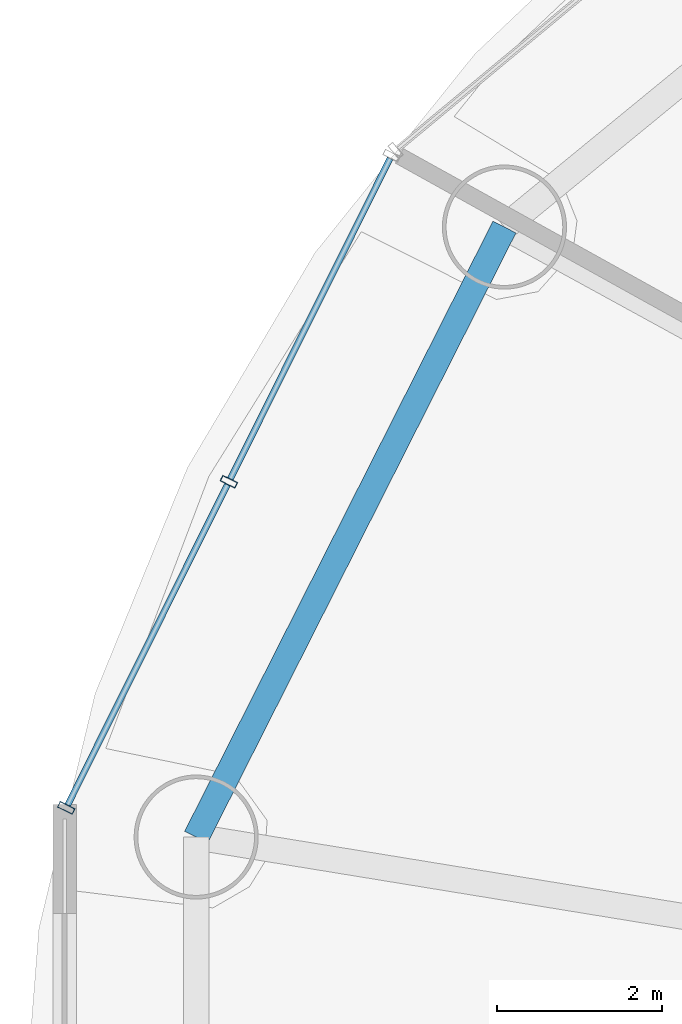
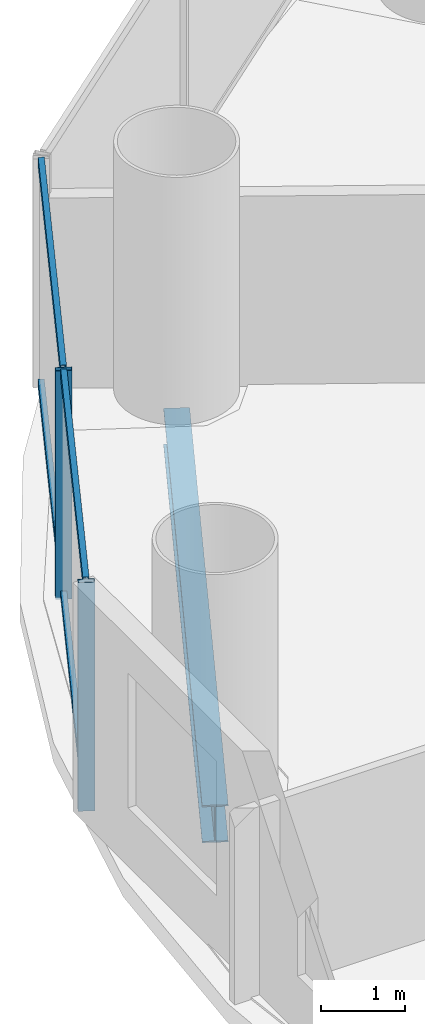
# One storey, part 9 of 29: 6 members, 1 beam, 1 element without a shape of its own.
"""IFC4 building model written with IfcOpenShell, lengths in metres."""

from ifc_helpers import new_model, si_unit, direction, frame, origin, origin_2d, place, context, subcontext, project, spatial, hollow_rectangle, i_section, extrude, source, transform, mapped, material, material_profile, profile_set, type_object, element, aggregate, save


model = new_model("IFC4")

# Units and contexts
model_context = context("Model", 3, precision=1e-05, world=origin(), true_north=direction((-0.2419218956, 0.970295726276)))
body_context = subcontext(model_context, "Body", "Model", "MODEL_VIEW")
ifc_project = project(units=[si_unit("LENGTHUNIT", "METRE"), si_unit("AREAUNIT", "SQUARE_METRE"), si_unit("VOLUMEUNIT", "CUBIC_METRE"), si_unit("PLANEANGLEUNIT", "RADIAN"), si_unit("MASSUNIT", "GRAM", prefix="KILO")], contexts=[model_context])

# Site, building, storey
site_placement = place(None, origin())
site = spatial("IfcSite", under=ifc_project, at=site_placement, CompositionType="ELEMENT")
building_placement = place(site_placement, origin())
building = spatial("IfcBuilding", under=site, at=building_placement, Name="Cobrevalo Terracotta Tower", CompositionType="ELEMENT")
storey_placement = place(building_placement, frame((0.0, 0.0, 94.199951171875)))
storey = spatial("IfcBuildingStorey", under=building, at=storey_placement, Name="L24", CompositionType="ELEMENT", Elevation=94.199951171875)

# Beam
ifc_material_1 = material(Name="Steel S355", Category="steel")
ifc_material_profile_1 = material_profile(ifc_material_1, i_section(OverallWidth=0.31201171875, OverallDepth=0.54296875, WebThickness=0.0126953125, FlangeThickness=0.020263671875, at=origin_2d()), Name="W 530x150")
ifc_profile_set_1 = profile_set([ifc_material_profile_1], Name="Steel S355")
beam_type = type_object("IfcBeamType", Name="Structural Spandrel W 530x150 (Steel S355)", PredefinedType="SPANDREL", material=ifc_profile_set_1)
beam_placement = place(storey_placement, frame((17.2548828125, 38.161376953125, -0.54638671875), z_axis=(-0.451051982172, -0.892497680321, 0.0), x_axis=(0.892497680321, -0.451051982172, 0.0)))
element("IfcBeam", 1, at=beam_placement, inside=storey, type_object=beam_type, Name="L24 perimeter ring spandrel 07", PredefinedType="SPANDREL", context=body_context, shape_type="SweptSolid", body=[
    extrude(i_section(OverallWidth=0.31201171875, OverallDepth=0.54296875, WebThickness=0.0126953125, FlangeThickness=0.020263671875, at=origin_2d()), origin(), (0.0, 0.0, 1.0), 8.259765625),
])

# Curtain wall, members
ifc_material_2 = material(Name="Anodized aluminium", Category="aluminium")
curtain_wall_type = type_object("IfcCurtainWallType", Name="Lower-tower unitised acoustic low-E curtain wall CW-U1", PredefinedType="NOTDEFINED", material=ifc_material_2)
curtain_wall_placement = place(storey_placement, origin())
curtain_wall = element("IfcCurtainWall", 2, at=curtain_wall_placement, inside=storey, type_object=curtain_wall_type, Name="L24 curtain wall CW-L24-S07", PredefinedType="NOTDEFINED")
ifc_material_profile_2 = material_profile(ifc_material_2, hollow_rectangle(XDim=0.074951171875, YDim=0.199951171875, WallThickness=0.0048828125, at=origin_2d()), Name="CWM 75x200")
ifc_profile_set_2 = profile_set([ifc_material_profile_2], Name="Anodized aluminium")
member_type_1 = type_object("IfcMemberType", Name="Lower/mid tower unitised mullion 75x200", PredefinedType="MULLION", material=ifc_profile_set_2)
shared_shape_1 = source(origin(), body_context, "Body", "SweptSolid", [
    extrude(hollow_rectangle(XDim=0.074951171875, YDim=0.199951171875, WallThickness=0.0048828125, at=origin_2d()), origin(), (0.0, 0.0, 1.0), 3.324951171875),
])
member_1_placement = place(storey_placement, frame((13.924072265625, 35.08349609375, 0.0), z_axis=(0.0, 0.0, 1.0), x_axis=(-0.446260290227, -0.894903208937, 0.0)))
member_1 = element("IfcMember", 3, at=member_1_placement, type_object=member_type_1, Name="CW-L24-S07 vertical mullion 02", PredefinedType="MULLION", context=body_context, shape_type="MappedRepresentation", body=[
    mapped(shared_shape_1, transform((0.0, 0.0, 0.0), scale=1.0)),
])
member_2_placement = place(storey_placement, frame((11.95849609375, 31.141357421875, 0.0), z_axis=(0.0, 0.0, 1.0), x_axis=(-0.446260290227, -0.894903208937, 0.0)))
member_2 = element("IfcMember", 4, at=member_2_placement, type_object=member_type_1, Name="CW-L24-S07 vertical mullion 03", PredefinedType="MULLION", context=body_context, shape_type="MappedRepresentation", body=[
    mapped(shared_shape_1, transform((0.0, 0.0, 0.0), scale=1.0)),
])
ifc_material_profile_3 = material_profile(ifc_material_2, hollow_rectangle(XDim=0.074951171875, YDim=0.14990234375, WallThickness=0.00439453125, at=origin_2d()), Name="CWT 75x150")
ifc_profile_set_3 = profile_set([ifc_material_profile_3], Name="Anodized aluminium")
member_type_2 = type_object("IfcMemberType", Name="Tower unitised aluminium transom 75x150", PredefinedType="USERDEFINED", material=ifc_profile_set_3)
shared_shape_2 = source(origin(), body_context, "Body", "SweptSolid", [
    extrude(hollow_rectangle(XDim=0.074951171875, YDim=0.14990234375, WallThickness=0.00439453125, at=origin_2d()), origin(), (0.0, 0.0, 1.0), 4.324951171875),
])
member_3_placement = place(storey_placement, frame((15.8720703125, 38.98974609375, 0.050048828125), z_axis=(-0.44624238083, -0.894912139571, 0.0), x_axis=(0.894912139571, -0.44624238083, 0.0)))
member_3 = element("IfcMember", 5, at=member_3_placement, type_object=member_type_2, Name="CW-L24-S07 transom B01-T1", ObjectType="TRANSOM", PredefinedType="USERDEFINED", context=body_context, shape_type="MappedRepresentation", body=[
    mapped(shared_shape_2, transform((0.0, 0.0, 0.0), scale=1.0)),
])
member_4_placement = place(storey_placement, frame((15.8720703125, 38.98974609375, 3.275146484375), z_axis=(-0.44624238083, -0.894912139571, 0.0), x_axis=(0.894912139571, -0.44624238083, 0.0)))
member_4 = element("IfcMember", 6, at=member_4_placement, type_object=member_type_2, Name="CW-L24-S07 transom B01-T2", ObjectType="TRANSOM", PredefinedType="USERDEFINED", context=body_context, shape_type="MappedRepresentation", body=[
    mapped(shared_shape_2, transform((0.0, 0.0, 0.0), scale=1.0)),
])
member_5_placement = place(storey_placement, frame((13.90625, 35.0478515625, 0.050048828125), z_axis=(-0.446219838389, -0.894923379864, 0.0), x_axis=(0.894923379864, -0.446219838389, 0.0)))
member_5 = element("IfcMember", 7, at=member_5_placement, type_object=member_type_2, Name="CW-L24-S07 transom B02-T1", ObjectType="TRANSOM", PredefinedType="USERDEFINED", context=body_context, shape_type="MappedRepresentation", body=[
    mapped(shared_shape_2, transform((0.0, 0.0, 0.0), scale=1.0)),
])
member_6_placement = place(storey_placement, frame((13.90625, 35.0478515625, 3.275146484375), z_axis=(-0.446219838389, -0.894923379864, 0.0), x_axis=(0.894923379864, -0.446219838389, 0.0)))
member_6 = element("IfcMember", 8, at=member_6_placement, type_object=member_type_2, Name="CW-L24-S07 transom B02-T2", ObjectType="TRANSOM", PredefinedType="USERDEFINED", context=body_context, shape_type="MappedRepresentation", body=[
    mapped(shared_shape_2, transform((0.0, 0.0, 0.0), scale=1.0)),
])
aggregate(curtain_wall, [member_1, member_2, member_3, member_4, member_5, member_6])

save(model, "model.ifc")
